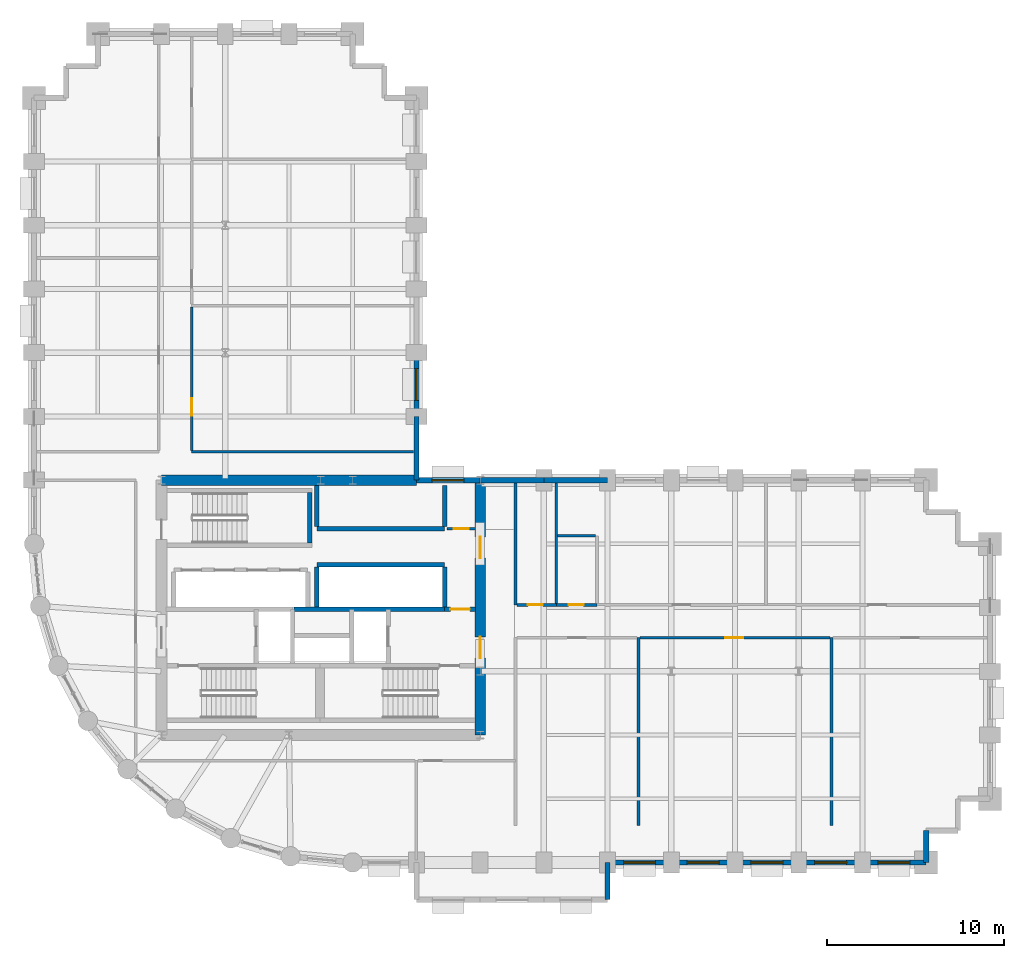
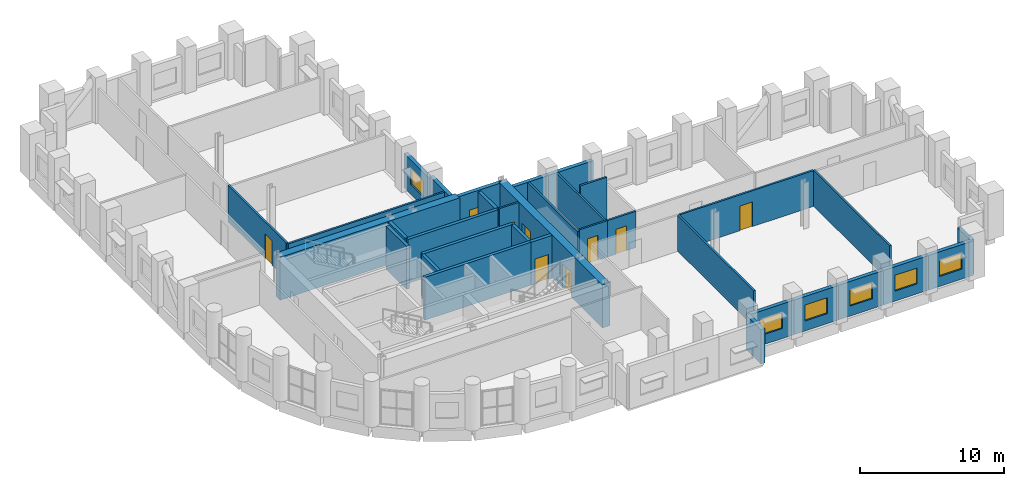
# One storey, part 10 of 14: 34 walls, 8 doors, 7 windows, 15 openings.
"""IFC4 building model written with IfcOpenShell, lengths in metres."""

from ifc_helpers import new_model, si_unit, direction, frame, frame_2d, origin, place, context, subcontext, project, spatial, rectangle, extrude, material, layer, layer_set, type_object, element, fill, save


model = new_model("IFC4")

# Units and contexts
model_context = context("Model", 3, precision=1e-05, world=origin(), true_north=direction((0.0, 1.0)))
body_context = subcontext(model_context, "Body", "Model", "MODEL_VIEW")
ifc_project = project(units=[si_unit("LENGTHUNIT", "METRE"), si_unit("AREAUNIT", "SQUARE_METRE"), si_unit("VOLUMEUNIT", "CUBIC_METRE"), si_unit("PLANEANGLEUNIT", "RADIAN"), si_unit("MASSUNIT", "GRAM", prefix="KILO")], contexts=[model_context])

# Site, building, storey
site_placement = place(None, origin())
site = spatial("IfcSite", under=ifc_project, at=site_placement, CompositionType="ELEMENT")
building_placement = place(site_placement, origin())
building = spatial("IfcBuilding", under=site, at=building_placement, Name="Solnavia Interchange Tower", CompositionType="ELEMENT")
storey_placement = place(building_placement, frame((0.0, 0.0, 63.0)))
storey = spatial("IfcBuildingStorey", under=building, at=storey_placement, Name="L15", CompositionType="ELEMENT", Elevation=63.0)

# Wall
ifc_material_1 = material(Name="Concrete C40/50", Category="concrete")
ifc_layer_1 = layer(ifc_material_1, 0.300048828125)
ifc_layer_set_1 = layer_set([ifc_layer_1], Name="Concrete C40/50")
wall_type_1 = type_object("IfcWallType", Name="Wall-ExtSpandrel-300", PredefinedType="STANDARD", material=ifc_layer_set_1)
wall_1_placement = place(storey_placement, frame((39.60009765625, 3.60009765625, 0.0), z_axis=(0.0, 0.0, 1.0), x_axis=(0.0, -1.0, 0.0)))
element("IfcWall", 1, at=wall_1_placement, inside=storey, type_object=wall_type_1, Name="EXW-L15-06 Exterior precast spandrel wall", PredefinedType="STANDARD", context=body_context, shape_type="SweptSolid", body=[
    extrude(rectangle(XDim=2.10009765625, YDim=0.300048828125, at=frame_2d((1.050048828125, 0.0))), origin(), (0.0, 0.0, 1.0), 2.929931640625),
])

# Wall, opening, window
wall_2_placement = place(storey_placement, frame((43.199951171875, 3.60009765625, 0.0), z_axis=(0.0, 0.0, 1.0), x_axis=(-1.0, 0.0, 0.0)))
wall_2 = element("IfcWall", 2, at=wall_2_placement, inside=storey, type_object=wall_type_1, Name="EXW-L15-07 Exterior precast spandrel wall", PredefinedType="STANDARD", context=body_context, shape_type="SweptSolid", body=[
    extrude(rectangle(XDim=3.599853515625, YDim=0.300048828125, at=frame_2d((1.7998046875, 0.0))), origin(), (0.0, 0.0, 1.0), 2.929931640625),
])
opening_1_placement = place(wall_2_placement, frame((0.89990234375, 0.0, 0.85009765625)))
opening_1 = element("IfcOpeningElement", 3, at=opening_1_placement, cuts=wall_2, Name="Opening WIN-02", PredefinedType="OPENING", context=body_context, shape_type="SweptSolid", body=[
    extrude(rectangle(XDim=1.800048828125, YDim=1.35009765625, at=frame_2d((0.89990234375, 0.675048828125))), frame((0.0, 0.16015625, 0.0), z_axis=(0.0, -1.0, 0.0), x_axis=(1.0, 0.0, 0.0)), (0.0, 0.0, 1.0), 0.320068359375),
])
ifc_material_2 = material(Name="Thermal-Break Aluminium & Low-E Glass", Category="aluminium")
window_type = type_object("IfcWindowType", Name="Window-Ribbon-1800x1350", PartitioningType="SINGLE_PANEL", PredefinedType="WINDOW", material=ifc_material_2)
window_1_placement = place(opening_1_placement, origin())
window_1 = element("IfcWindow", 4, at=window_1_placement, inside=storey, type_object=window_type, Name="WIN-L15-07 Facade ribbon window", OverallHeight=1.35009765625, OverallWidth=1.800048828125, PartitioningType="SINGLE_PANEL", PredefinedType="WINDOW", context=body_context, shape_type="SweptSolid", body=[
    extrude(rectangle(XDim=1.800048828125, YDim=1.35009765625, at=frame_2d((0.89990234375, 0.675048828125))), frame((0.0, 0.030029296875, 0.0), z_axis=(0.0, -1.0, 0.0), x_axis=(1.0, 0.0, 0.0)), (0.0, 0.0, 1.0), 0.06005859375),
])
fill(opening_1, window_1)

wall_3_placement = place(storey_placement, frame((46.800048828125, 3.60009765625, 0.0), z_axis=(0.0, 0.0, 1.0), x_axis=(-1.0, 0.0, 0.0)))
wall_3 = element("IfcWall", 5, at=wall_3_placement, inside=storey, type_object=wall_type_1, Name="EXW-L15-08 Exterior precast spandrel wall", PredefinedType="STANDARD", context=body_context, shape_type="SweptSolid", body=[
    extrude(rectangle(XDim=3.60009765625, YDim=0.300048828125, at=frame_2d((1.800048828125, 0.0))), origin(), (0.0, 0.0, 1.0), 2.929931640625),
])
opening_2_placement = place(wall_3_placement, frame((0.89990234375, 0.0, 0.85009765625)))
opening_2 = element("IfcOpeningElement", 6, at=opening_2_placement, cuts=wall_3, Name="Opening WIN-02", PredefinedType="OPENING", context=body_context, shape_type="SweptSolid", body=[
    extrude(rectangle(XDim=1.800048828125, YDim=1.35009765625, at=frame_2d((0.89990234375, 0.675048828125))), frame((0.0, 0.16015625, 0.0), z_axis=(0.0, -1.0, 0.0), x_axis=(1.0, 0.0, 0.0)), (0.0, 0.0, 1.0), 0.320068359375),
])
window_2_placement = place(opening_2_placement, origin())
window_2 = element("IfcWindow", 7, at=window_2_placement, inside=storey, type_object=window_type, Name="WIN-L15-08 Facade ribbon window", OverallHeight=1.35009765625, OverallWidth=1.800048828125, PartitioningType="SINGLE_PANEL", PredefinedType="WINDOW", context=body_context, shape_type="SweptSolid", body=[
    extrude(rectangle(XDim=1.800048828125, YDim=1.35009765625, at=frame_2d((0.89990234375, 0.675048828125))), frame((0.0, 0.030029296875, 0.0), z_axis=(0.0, -1.0, 0.0), x_axis=(1.0, 0.0, 0.0)), (0.0, 0.0, 1.0), 0.06005859375),
])
fill(opening_2, window_2)

wall_4_placement = place(storey_placement, frame((50.39990234375, 3.60009765625, 0.0), z_axis=(0.0, 0.0, 1.0), x_axis=(-1.0, 0.0, 0.0)))
wall_4 = element("IfcWall", 8, at=wall_4_placement, inside=storey, type_object=wall_type_1, Name="EXW-L15-09 Exterior precast spandrel wall", PredefinedType="STANDARD", context=body_context, shape_type="SweptSolid", body=[
    extrude(rectangle(XDim=3.599853515625, YDim=0.300048828125, at=frame_2d((1.7998046875, 0.0))), origin(), (0.0, 0.0, 1.0), 2.929931640625),
])
opening_3_placement = place(wall_4_placement, frame((0.89990234375, 0.0, 0.85009765625)))
opening_3 = element("IfcOpeningElement", 9, at=opening_3_placement, cuts=wall_4, Name="Opening WIN-02", PredefinedType="OPENING", context=body_context, shape_type="SweptSolid", body=[
    extrude(rectangle(XDim=1.800048828125, YDim=1.35009765625, at=frame_2d((0.89990234375, 0.675048828125))), frame((0.0, 0.16015625, 0.0), z_axis=(0.0, -1.0, 0.0), x_axis=(1.0, 0.0, 0.0)), (0.0, 0.0, 1.0), 0.320068359375),
])
window_3_placement = place(opening_3_placement, origin())
window_3 = element("IfcWindow", 10, at=window_3_placement, inside=storey, type_object=window_type, Name="WIN-L15-09 Facade ribbon window", OverallHeight=1.35009765625, OverallWidth=1.800048828125, PartitioningType="SINGLE_PANEL", PredefinedType="WINDOW", context=body_context, shape_type="SweptSolid", body=[
    extrude(rectangle(XDim=1.800048828125, YDim=1.35009765625, at=frame_2d((0.89990234375, 0.675048828125))), frame((0.0, 0.030029296875, 0.0), z_axis=(0.0, -1.0, 0.0), x_axis=(1.0, 0.0, 0.0)), (0.0, 0.0, 1.0), 0.06005859375),
])
fill(opening_3, window_3)

wall_5_placement = place(storey_placement, frame((54.0, 3.60009765625, 0.0), z_axis=(0.0, 0.0, 1.0), x_axis=(-1.0, 0.0, 0.0)))
wall_5 = element("IfcWall", 11, at=wall_5_placement, inside=storey, type_object=wall_type_1, Name="EXW-L15-10 Exterior precast spandrel wall", PredefinedType="STANDARD", context=body_context, shape_type="SweptSolid", body=[
    extrude(rectangle(XDim=3.60009765625, YDim=0.300048828125, at=frame_2d((1.800048828125, 0.0))), origin(), (0.0, 0.0, 1.0), 2.929931640625),
])
opening_4_placement = place(wall_5_placement, frame((0.89990234375, 0.0, 0.85009765625)))
opening_4 = element("IfcOpeningElement", 12, at=opening_4_placement, cuts=wall_5, Name="Opening WIN-02", PredefinedType="OPENING", context=body_context, shape_type="SweptSolid", body=[
    extrude(rectangle(XDim=1.800048828125, YDim=1.35009765625, at=frame_2d((0.89990234375, 0.675048828125))), frame((0.0, 0.16015625, 0.0), z_axis=(0.0, -1.0, 0.0), x_axis=(1.0, 0.0, 0.0)), (0.0, 0.0, 1.0), 0.320068359375),
])
window_4_placement = place(opening_4_placement, origin())
window_4 = element("IfcWindow", 13, at=window_4_placement, inside=storey, type_object=window_type, Name="WIN-L15-10 Facade ribbon window", OverallHeight=1.35009765625, OverallWidth=1.800048828125, PartitioningType="SINGLE_PANEL", PredefinedType="WINDOW", context=body_context, shape_type="SweptSolid", body=[
    extrude(rectangle(XDim=1.800048828125, YDim=1.35009765625, at=frame_2d((0.89990234375, 0.675048828125))), frame((0.0, 0.030029296875, 0.0), z_axis=(0.0, -1.0, 0.0), x_axis=(1.0, 0.0, 0.0)), (0.0, 0.0, 1.0), 0.06005859375),
])
fill(opening_4, window_4)

wall_6_placement = place(storey_placement, frame((57.60009765625, 3.60009765625, 0.0), z_axis=(0.0, 0.0, 1.0), x_axis=(-1.0, 0.0, 0.0)))
wall_6 = element("IfcWall", 14, at=wall_6_placement, inside=storey, type_object=wall_type_1, Name="EXW-L15-11 Exterior precast spandrel wall", PredefinedType="STANDARD", context=body_context, shape_type="SweptSolid", body=[
    extrude(rectangle(XDim=3.60009765625, YDim=0.300048828125, at=frame_2d((1.800048828125, 0.0))), origin(), (0.0, 0.0, 1.0), 2.929931640625),
])
opening_5_placement = place(wall_6_placement, frame((0.925048828125, 0.0, 0.85009765625)))
opening_5 = element("IfcOpeningElement", 15, at=opening_5_placement, cuts=wall_6, Name="Opening WIN-02", PredefinedType="OPENING", context=body_context, shape_type="SweptSolid", body=[
    extrude(rectangle(XDim=1.800048828125, YDim=1.35009765625, at=frame_2d((0.89990234375, 0.675048828125))), frame((0.0, 0.16015625, 0.0), z_axis=(0.0, -1.0, 0.0), x_axis=(1.0, 0.0, 0.0)), (0.0, 0.0, 1.0), 0.320068359375),
])
window_5_placement = place(opening_5_placement, origin())
window_5 = element("IfcWindow", 16, at=window_5_placement, inside=storey, type_object=window_type, Name="WIN-L15-11 Facade ribbon window", OverallHeight=1.35009765625, OverallWidth=1.800048828125, PartitioningType="SINGLE_PANEL", PredefinedType="WINDOW", context=body_context, shape_type="SweptSolid", body=[
    extrude(rectangle(XDim=1.800048828125, YDim=1.35009765625, at=frame_2d((0.89990234375, 0.675048828125))), frame((0.0, 0.030029296875, 0.0), z_axis=(0.0, -1.0, 0.0), x_axis=(1.0, 0.0, 0.0)), (0.0, 0.0, 1.0), 0.06005859375),
])
fill(opening_5, window_5)

# Walls
wall_7_placement = place(storey_placement, frame((57.60009765625, 5.39990234375, 0.0), z_axis=(0.0, 0.0, 1.0), x_axis=(0.0, -1.0, 0.0)))
element("IfcWall", 17, at=wall_7_placement, inside=storey, type_object=wall_type_1, Name="EXW-L15-12 Exterior precast spandrel wall", PredefinedType="STANDARD", context=body_context, shape_type="SweptSolid", body=[
    extrude(rectangle(XDim=1.7998046875, YDim=0.300048828125, at=frame_2d((0.89990234375, 0.0))), origin(), (0.0, 0.0, 1.0), 2.929931640625),
])
for number, where, z_axis, x_axis, name in (
    (18, (36.0, 25.199951171875, 0.0), (0.0, 0.0, 1.0), (1.0, 0.0, 0.0), "EXW-L15-29 Exterior precast spandrel wall"),
    (19, (32.39990234375, 25.199951171875, 0.0), (0.0, 0.0, 1.0), (1.0, 0.0, 0.0), "EXW-L15-30 Exterior precast spandrel wall"),
):
    element("IfcWall", number, at=place(storey_placement, frame(where, z_axis=z_axis, x_axis=x_axis)), inside=storey, type_object=wall_type_1, Name=name, PredefinedType="STANDARD", context=body_context, shape_type="SweptSolid", body=[
        extrude(rectangle(XDim=3.60009765625, YDim=0.300048828125, at=frame_2d((1.800048828125, 0.0))), origin(), (0.0, 0.0, 1.0), 2.929931640625),
    ])

# Wall, opening, window
wall_8_placement = place(storey_placement, frame((28.800048828125, 25.199951171875, 0.0), z_axis=(0.0, 0.0, 1.0), x_axis=(1.0, 0.0, 0.0)))
wall_8 = element("IfcWall", 20, at=wall_8_placement, inside=storey, type_object=wall_type_1, Name="EXW-L15-31 Exterior precast spandrel wall", PredefinedType="STANDARD", context=body_context, shape_type="SweptSolid", body=[
    extrude(rectangle(XDim=3.599853515625, YDim=0.300048828125, at=frame_2d((1.7998046875, 0.0))), origin(), (0.0, 0.0, 1.0), 3.635009765625),
])
opening_6_placement = place(wall_8_placement, frame((0.8779296875, 0.0, 0.85009765625)))
opening_6 = element("IfcOpeningElement", 21, at=opening_6_placement, cuts=wall_8, Name="Opening WIN-02", PredefinedType="OPENING", context=body_context, shape_type="SweptSolid", body=[
    extrude(rectangle(XDim=1.800048828125, YDim=1.35009765625, at=frame_2d((0.89990234375, 0.675048828125))), frame((0.0, 0.16015625, 0.0), z_axis=(0.0, -1.0, 0.0), x_axis=(1.0, 0.0, 0.0)), (0.0, 0.0, 1.0), 0.320068359375),
])
window_6_placement = place(opening_6_placement, origin())
window_6 = element("IfcWindow", 22, at=window_6_placement, inside=storey, type_object=window_type, Name="WIN-L15-31 Facade ribbon window", OverallHeight=1.35009765625, OverallWidth=1.800048828125, PartitioningType="SINGLE_PANEL", PredefinedType="WINDOW", context=body_context, shape_type="SweptSolid", body=[
    extrude(rectangle(XDim=1.800048828125, YDim=1.35009765625, at=frame_2d((0.89990234375, 0.675048828125))), frame((0.0, 0.030029296875, 0.0), z_axis=(0.0, -1.0, 0.0), x_axis=(1.0, 0.0, 0.0)), (0.0, 0.0, 1.0), 0.06005859375),
])
fill(opening_6, window_6)

# Wall
wall_9_placement = place(storey_placement, frame((28.800048828125, 25.199951171875, 0.0), z_axis=(0.0, 0.0, 1.0), x_axis=(0.0, 1.0, 0.0)))
element("IfcWall", 23, at=wall_9_placement, inside=storey, type_object=wall_type_1, Name="EXW-L15-32 Exterior precast spandrel wall", PredefinedType="STANDARD", context=body_context, shape_type="SweptSolid", body=[
    extrude(rectangle(XDim=3.60009765625, YDim=0.300048828125, at=frame_2d((1.800048828125, 0.0))), origin(), (0.0, 0.0, 1.0), 3.139892578125),
])

# Wall, opening, window
wall_10_placement = place(storey_placement, frame((28.800048828125, 28.800048828125, 0.0), z_axis=(0.0, 0.0, 1.0), x_axis=(0.0, 1.0, 0.0)))
wall_10 = element("IfcWall", 24, at=wall_10_placement, inside=storey, type_object=wall_type_1, Name="EXW-L15-33 Exterior precast spandrel wall", PredefinedType="STANDARD", context=body_context, shape_type="SweptSolid", body=[
    extrude(rectangle(XDim=3.599853515625, YDim=0.300048828125, at=frame_2d((1.7998046875, 0.0))), origin(), (0.0, 0.0, 1.0), 2.929931640625),
])
opening_7_placement = place(wall_10_placement, frame((0.89990234375, 0.0, 0.85009765625)))
opening_7 = element("IfcOpeningElement", 25, at=opening_7_placement, cuts=wall_10, Name="Opening WIN-02", PredefinedType="OPENING", context=body_context, shape_type="SweptSolid", body=[
    extrude(rectangle(XDim=1.800048828125, YDim=1.35009765625, at=frame_2d((0.89990234375, 0.675048828125))), frame((0.0, 0.16015625, 0.0), z_axis=(0.0, -1.0, 0.0), x_axis=(1.0, 0.0, 0.0)), (0.0, 0.0, 1.0), 0.320068359375),
])
window_7_placement = place(opening_7_placement, origin())
window_7 = element("IfcWindow", 26, at=window_7_placement, inside=storey, type_object=window_type, Name="WIN-L15-33 Facade ribbon window", OverallHeight=1.35009765625, OverallWidth=1.800048828125, PartitioningType="SINGLE_PANEL", PredefinedType="WINDOW", context=body_context, shape_type="SweptSolid", body=[
    extrude(rectangle(XDim=1.800048828125, YDim=1.35009765625, at=frame_2d((0.89990234375, 0.675048828125))), frame((0.0, 0.030029296875, 0.0), z_axis=(0.0, -1.0, 0.0), x_axis=(1.0, 0.0, 0.0)), (0.0, 0.0, 1.0), 0.06005859375),
])
fill(opening_7, window_7)

# Wall, opening, door
ifc_material_3 = material(Name="Gypsum Plasterboard & Steel Stud", Category="steel")
ifc_layer_2 = layer(ifc_material_3, 0.14990234375)
ifc_layer_set_2 = layer_set([ifc_layer_2], Name="Gypsum Plasterboard & Steel Stud")
wall_type_2 = type_object("IfcWallType", Name="Wall-Partition-150", PredefinedType="PARTITIONING", material=ifc_layer_set_2)
wall_11_placement = place(storey_placement, frame((30.52001953125, 22.4599609375, 0.0), z_axis=(0.0, 0.0, 1.0), x_axis=(1.0, 0.0, 0.0)))
wall_11 = element("IfcWall", 27, at=wall_11_placement, inside=storey, type_object=wall_type_2, Name="CSW-L15-NE-S Core shaft wall", PredefinedType="PARTITIONING", context=body_context, shape_type="SweptSolid", body=[
    extrude(rectangle(XDim=1.6298828125, YDim=0.14990234375, at=frame_2d((0.81494140625, 0.0))), origin(), (0.0, 0.0, 1.0), 3.635009765625),
])
opening_8_placement = place(wall_11_placement, frame((0.3798828125, 0.0, 0.0)))
opening_8 = element("IfcOpeningElement", 28, at=opening_8_placement, cuts=wall_11, Name="Opening DR-10", PredefinedType="OPENING", context=body_context, shape_type="SweptSolid", body=[
    extrude(rectangle(XDim=0.85009765625, YDim=2.10009765625, at=frame_2d((0.425048828125, 1.050048828125))), frame((0.0, 0.0849609375, 0.0), z_axis=(0.0, -1.0, 0.0), x_axis=(1.0, 0.0, 0.0)), (0.0, 0.0, 1.0), 0.169921875),
])
ifc_material_4 = material(Name="Moisture-Resistant Timber Door", Category="wood")
door_type_1 = type_object("IfcDoorType", Name="Door-Bathroom-850x2100", OperationType="SINGLE_SWING_RIGHT", PredefinedType="DOOR", material=ifc_material_4)
door_1_placement = place(opening_8_placement, origin())
door_1 = element("IfcDoor", 29, at=door_1_placement, inside=storey, type_object=door_type_1, Name="DR-L15-CNE1 Core fire door", OperationType="SINGLE_SWING_RIGHT", OverallHeight=2.10009765625, OverallWidth=0.85009765625, PredefinedType="DOOR", context=body_context, shape_type="SweptSolid", body=[
    extrude(rectangle(XDim=0.85009765625, YDim=2.10009765625, at=frame_2d((0.425048828125, 1.050048828125))), frame((0.0, 0.02490234375, 0.0), z_axis=(0.0, -1.0, 0.0), x_axis=(1.0, 0.0, 0.0)), (0.0, 0.0, 1.0), 0.050048828125),
])
fill(opening_8, door_1)

# Walls
for number, where, z_axis, x_axis, name in (
    (30, (41.35009765625, 5.699951171875, 0.0), (0.0, 0.0, 1.0), (0.0, 1.0, 0.0), "PTW-L15-13 Interior partition wall"),
    (31, (52.25, 5.699951171875, 0.0), (0.0, 0.0, 1.0), (0.0, 1.0, 0.0), "PTW-L15-15 Interior partition wall"),
):
    element("IfcWall", number, at=place(storey_placement, frame(where, z_axis=z_axis, x_axis=x_axis)), inside=storey, type_object=wall_type_2, Name=name, PredefinedType="PARTITIONING", context=body_context, shape_type="SweptSolid", body=[
        extrude(rectangle(XDim=10.60009765625, YDim=0.14990234375, at=frame_2d((5.300048828125, 0.0))), origin(), (0.0, 0.0, 1.0), 3.030029296875),
    ])

# Wall, opening, door
wall_12_placement = place(storey_placement, frame((41.428955078125, 16.300048828125, 0.0), z_axis=(0.0, 0.0, 1.0), x_axis=(1.0, 0.0, 0.0)))
wall_12 = element("IfcWall", 32, at=wall_12_placement, inside=storey, type_object=wall_type_2, Name="PTW-L15-16 Interior partition wall", PredefinedType="PARTITIONING", context=body_context, shape_type="SweptSolid", body=[
    extrude(rectangle(XDim=10.741943359375, YDim=0.14990234375, at=frame_2d((5.37109375, 0.0))), origin(), (0.0, 0.0, 1.0), 3.0400390625),
])
opening_9_placement = place(wall_12_placement, frame((4.8310546875, 0.0, 0.0)))
opening_9 = element("IfcOpeningElement", 33, at=opening_9_placement, cuts=wall_12, Name="Opening DR-07", PredefinedType="OPENING", context=body_context, shape_type="SweptSolid", body=[
    extrude(rectangle(XDim=1.0, YDim=2.10009765625, at=frame_2d((0.5, 1.050048828125))), frame((0.0, 0.0849609375, 0.0), z_axis=(0.0, -1.0, 0.0), x_axis=(1.0, 0.0, 0.0)), (0.0, 0.0, 1.0), 0.169921875),
])
ifc_material_5 = material(Name="Timber & Acoustic Glazed Office Door", Category="wood")
door_type_2 = type_object("IfcDoorType", Name="Door-Office-1000x2100", OperationType="SINGLE_SWING_RIGHT", PredefinedType="DOOR", material=ifc_material_5)
door_2_placement = place(opening_9_placement, origin())
door_2 = element("IfcDoor", 34, at=door_2_placement, inside=storey, type_object=door_type_2, Name="DR-L15-06 Interior room door", OperationType="SINGLE_SWING_RIGHT", OverallHeight=2.10009765625, OverallWidth=1.0, PredefinedType="DOOR", context=body_context, shape_type="SweptSolid", body=[
    extrude(rectangle(XDim=1.0, YDim=2.10009765625, at=frame_2d((0.5, 1.050048828125))), frame((0.0, 0.02490234375, 0.0), z_axis=(0.0, -1.0, 0.0), x_axis=(1.0, 0.0, 0.0)), (0.0, 0.0, 1.0), 0.050048828125),
])
fill(opening_9, door_2)

# Wall
wall_13_placement = place(storey_placement, frame((16.10009765625, 26.800048828125, 0.0), z_axis=(0.0, 0.0, 1.0), x_axis=(1.0, 0.0, 0.0)))
element("IfcWall", 35, at=wall_13_placement, inside=storey, type_object=wall_type_2, Name="PTW-L15-25 Interior partition wall", PredefinedType="PARTITIONING", context=body_context, shape_type="SweptSolid", body=[
    extrude(rectangle(XDim=12.5458984375, YDim=0.14990234375, at=frame_2d((6.27294921875, 0.0))), origin(), (0.0, 0.0, 1.0), 3.080078125),
])

# Wall, opening, door
wall_14_placement = place(storey_placement, frame((16.10009765625, 26.87890625, 0.0), z_axis=(0.0, 0.0, 1.0), x_axis=(0.0, 1.0, 0.0)))
wall_14 = element("IfcWall", 36, at=wall_14_placement, inside=storey, type_object=wall_type_2, Name="PTW-L15-27 Interior partition wall", PredefinedType="PARTITIONING", context=body_context, shape_type="SweptSolid", body=[
    extrude(rectangle(XDim=8.10205078125, YDim=0.14990234375, at=frame_2d((4.051025390625, 0.0))), origin(), (0.0, 0.0, 1.0), 3.080078125),
])
opening_10_placement = place(wall_14_placement, frame((1.9560546875, 0.0, 0.0)))
opening_10 = element("IfcOpeningElement", 37, at=opening_10_placement, cuts=wall_14, Name="Opening DR-07", PredefinedType="OPENING", context=body_context, shape_type="SweptSolid", body=[
    extrude(rectangle(XDim=1.0, YDim=2.10009765625, at=frame_2d((0.5, 1.050048828125))), frame((0.0, 0.0849609375, 0.0), z_axis=(0.0, -1.0, 0.0), x_axis=(1.0, 0.0, 0.0)), (0.0, 0.0, 1.0), 0.169921875),
])
door_3_placement = place(opening_10_placement, origin())
door_3 = element("IfcDoor", 38, at=door_3_placement, inside=storey, type_object=door_type_2, Name="DR-L15-12 Interior room door", OperationType="SINGLE_SWING_LEFT", OverallHeight=2.10009765625, OverallWidth=1.0, PredefinedType="DOOR", context=body_context, shape_type="SweptSolid", body=[
    extrude(rectangle(XDim=1.0, YDim=2.10009765625, at=frame_2d((0.5, 1.050048828125))), frame((0.0, 0.02490234375, 0.0), z_axis=(0.0, -1.0, 0.0), x_axis=(1.0, 0.0, 0.0)), (0.0, 0.0, 1.0), 0.050048828125),
])
fill(opening_10, door_3)

# Walls
ifc_layer_3 = layer(ifc_material_1, 0.25)
ifc_layer_set_3 = layer_set([ifc_layer_3], Name="Concrete C40/50")
wall_type_3 = type_object("IfcWallType", Name="Wall-ShaftCore-250", PredefinedType="SHEAR", material=ifc_layer_set_3)
wall_15_placement = place(storey_placement, frame((22.77490234375, 21.64990234375, 0.0), z_axis=(0.0, 0.0, 1.0), x_axis=(0.0, 1.0, 0.0)))
element("IfcWall", 39, at=wall_15_placement, inside=storey, type_object=wall_type_3, Name="SHW-L15-ST3E Core shear wall", PredefinedType="SHEAR", context=body_context, shape_type="SweptSolid", body=[
    extrude(rectangle(XDim=2.840087890625, YDim=0.25, at=frame_2d((1.419921875, 0.0))), origin(), (0.0, 0.0, 1.0), 3.64990234375),
])
ifc_layer_4 = layer(ifc_material_1, 0.25)
ifc_layer_set_4 = layer_set([ifc_layer_4], Name="Concrete C40/50")
wall_type_4 = type_object("IfcWallType", Name="Wall-ShaftPart-250", PredefinedType="PARTITIONING", material=ifc_layer_set_4)
wall_16_placement = place(storey_placement, frame((21.8798828125, 17.89990234375, 0.0), z_axis=(0.0, 0.0, 1.0), x_axis=(1.0, 0.0, 0.0)))
element("IfcWall", 40, at=wall_16_placement, inside=storey, type_object=wall_type_4, Name="SHW-L15-FFLE-N1 Core shaft wall", PredefinedType="PARTITIONING", context=body_context, shape_type="SweptSolid", body=[
    extrude(rectangle(XDim=8.52001953125, YDim=0.25, at=frame_2d((4.260009765625, 0.0))), origin(), (0.0, 0.0, 1.0), 3.635009765625),
])

# Wall, opening, door
wall_17_placement = place(storey_placement, frame((30.39990234375, 17.89990234375, 0.0), z_axis=(0.0, 0.0, 1.0), x_axis=(1.0, 0.0, 0.0)))
wall_17 = element("IfcWall", 41, at=wall_17_placement, inside=storey, type_object=wall_type_4, Name="SHW-L15-FFLE-N2 Core shaft wall", PredefinedType="PARTITIONING", context=body_context, shape_type="SweptSolid", body=[
    extrude(rectangle(XDim=1.75, YDim=0.25, at=frame_2d((0.875, 0.0))), origin(), (0.0, 0.0, 1.0), 3.635009765625),
])
opening_11_placement = place(wall_17_placement, frame((0.320068359375, 0.0, 0.0)))
opening_11 = element("IfcOpeningElement", 42, at=opening_11_placement, cuts=wall_17, Name="Opening DR-01", PredefinedType="OPENING", context=body_context, shape_type="SweptSolid", body=[
    extrude(rectangle(XDim=1.10009765625, YDim=2.10009765625, at=frame_2d((0.550048828125, 1.050048828125))), frame((0.0, 0.135009765625, 0.0), z_axis=(0.0, -1.0, 0.0), x_axis=(1.0, 0.0, 0.0)), (0.0, 0.0, 1.0), 0.27001953125),
])
ifc_material_6 = material(Name="Steel Fire-Rated Leaf & Frame", Category="steel")
door_type_3 = type_object("IfcDoorType", Name="Door-StairFire-1100x2100", OperationType="SINGLE_SWING_LEFT", PredefinedType="DOOR", material=ifc_material_6)
door_4_placement = place(opening_11_placement, origin())
door_4 = element("IfcDoor", 43, at=door_4_placement, inside=storey, type_object=door_type_3, Name="DR-L15-LLC Core fire door", OperationType="SINGLE_SWING_LEFT", OverallHeight=2.10009765625, OverallWidth=1.10009765625, PredefinedType="DOOR", context=body_context, shape_type="SweptSolid", body=[
    extrude(rectangle(XDim=1.10009765625, YDim=2.10009765625, at=frame_2d((0.550048828125, 1.050048828125))), frame((0.0, 0.02490234375, 0.0), z_axis=(0.0, -1.0, 0.0), x_axis=(1.0, 0.0, 0.0)), (0.0, 0.0, 1.0), 0.050048828125),
])
fill(opening_11, door_4)

# Walls
wall_18_placement = place(storey_placement, frame((23.179931640625, 20.419921875, 0.0), z_axis=(0.0, 0.0, 1.0), x_axis=(1.0, 0.0, 0.0)))
element("IfcWall", 44, at=wall_18_placement, inside=storey, type_object=wall_type_4, Name="SHW-L15-B2N Core shaft wall", PredefinedType="PARTITIONING", context=body_context, shape_type="SweptSolid", body=[
    extrude(rectangle(XDim=7.219970703125, YDim=0.25, at=frame_2d((3.60986328125, 0.0))), origin(), (0.0, 0.0, 1.0), 3.635009765625),
])
for number, where, z_axis, x_axis, name in (
    (45, (23.179931640625, 18.02490234375, 0.0), (0.0, 0.0, 1.0), (0.0, 1.0, 0.0), "SHW-L15-B2W Core shaft wall"),
    (46, (30.39990234375, 18.02490234375, 0.0), (0.0, 0.0, 1.0), (0.0, 1.0, 0.0), "SHW-L15-B2E Core shaft wall"),
):
    element("IfcWall", number, at=place(storey_placement, frame(where, z_axis=z_axis, x_axis=x_axis)), inside=storey, type_object=wall_type_4, Name=name, PredefinedType="PARTITIONING", context=body_context, shape_type="SweptSolid", body=[
        extrude(rectangle(XDim=2.27001953125, YDim=0.25, at=frame_2d((1.135009765625, 0.0))), origin(), (0.0, 0.0, 1.0), 3.635009765625),
    ])
wall_19_placement = place(storey_placement, frame((23.179931640625, 22.4599609375, 0.0), z_axis=(0.0, 0.0, 1.0), x_axis=(1.0, 0.0, 0.0)))
element("IfcWall", 47, at=wall_19_placement, inside=storey, type_object=wall_type_4, Name="SHW-L15-B3S Core shaft wall", PredefinedType="PARTITIONING", context=body_context, shape_type="SweptSolid", body=[
    extrude(rectangle(XDim=7.219970703125, YDim=0.25, at=frame_2d((3.60986328125, 0.0))), origin(), (0.0, 0.0, 1.0), 3.635009765625),
])
for number, where, z_axis, x_axis, name in (
    (48, (23.179931640625, 22.5849609375, 0.0), (0.0, 0.0, 1.0), (0.0, 1.0, 0.0), "SHW-L15-B3W Core shaft wall"),
    (49, (30.39990234375, 22.5849609375, 0.0), (0.0, 0.0, 1.0), (0.0, 1.0, 0.0), "SHW-L15-B3E Core shaft wall"),
):
    element("IfcWall", number, at=place(storey_placement, frame(where, z_axis=z_axis, x_axis=x_axis)), inside=storey, type_object=wall_type_4, Name=name, PredefinedType="PARTITIONING", context=body_context, shape_type="SweptSolid", body=[
        extrude(rectangle(XDim=2.31494140625, YDim=0.25, at=frame_2d((1.157470703125, 0.0))), origin(), (0.0, 0.0, 1.0), 3.635009765625),
    ])
ifc_material_7 = material(Name="Concrete C60/75", Category="concrete")
ifc_layer_5 = layer(ifc_material_7, 0.60009765625)
ifc_layer_set_5 = layer_set([ifc_layer_5], Name="Concrete C60/75")
wall_type_5 = type_object("IfcWallType", Name="Wall-ShearCore-600", PredefinedType="SHEAR", material=ifc_layer_set_5)
wall_20_placement = place(storey_placement, frame((14.39990234375, 25.199951171875, 0.0), z_axis=(0.0, 0.0, 1.0), x_axis=(1.0, 0.0, 0.0)))
element("IfcWall", 50, at=wall_20_placement, inside=storey, type_object=wall_type_5, Name="CRW-L15-N Core shear wall", PredefinedType="SHEAR", context=body_context, shape_type="SweptSolid", body=[
    extrude(rectangle(XDim=14.400146484375, YDim=0.60009765625, at=frame_2d((7.2001953125, 0.0))), origin(), (0.0, 0.0, 1.0), 3.64990234375),
])

# Wall, openings, doors
wall_21_placement = place(storey_placement, frame((32.39990234375, 10.800048828125, 0.0), z_axis=(0.0, 0.0, 1.0), x_axis=(0.0, 1.0, 0.0)))
wall_21 = element("IfcWall", 51, at=wall_21_placement, inside=storey, type_object=wall_type_5, Name="CRW-L15-E Core shear wall", PredefinedType="SHEAR", context=body_context, shape_type="SweptSolid", body=[
    extrude(rectangle(XDim=14.39990234375, YDim=0.60009765625, at=frame_2d((7.199951171875, 0.0))), origin(), (0.0, 0.0, 1.0), 3.64990234375),
])
opening_12_placement = place(wall_21_placement, frame((4.35009765625, 0.0, 0.0)))
opening_12 = element("IfcOpeningElement", 52, at=opening_12_placement, cuts=wall_21, Name="Opening DR-02", PredefinedType="OPENING", context=body_context, shape_type="SweptSolid", body=[
    extrude(rectangle(XDim=1.199951171875, YDim=2.10009765625, at=frame_2d((0.60009765625, 1.050048828125))), frame((0.0, 0.31005859375, 0.0), z_axis=(0.0, -1.0, 0.0), x_axis=(1.0, 0.0, 0.0)), (0.0, 0.0, 1.0), 0.6201171875),
])
opening_13_placement = place(wall_21_placement, frame((10.0, 0.0, 0.0)))
opening_13 = element("IfcOpeningElement", 53, at=opening_13_placement, cuts=wall_21, Name="Opening DR-02", PredefinedType="OPENING", context=body_context, shape_type="SweptSolid", body=[
    extrude(rectangle(XDim=1.199951171875, YDim=2.10009765625, at=frame_2d((0.60009765625, 1.050048828125))), frame((0.0, 0.31005859375, 0.0), z_axis=(0.0, -1.0, 0.0), x_axis=(1.0, 0.0, 0.0)), (0.0, 0.0, 1.0), 0.6201171875),
])
ifc_material_8 = material(Name="Steel Fire-Rated Vision-Panel Door", Category="steel")
door_type_4 = type_object("IfcDoorType", Name="Door-LobbyFire-1200x2100", OperationType="SINGLE_SWING_RIGHT", PredefinedType="DOOR", material=ifc_material_8)
door_5_placement = place(opening_12_placement, origin())
door_5 = element("IfcDoor", 54, at=door_5_placement, inside=storey, type_object=door_type_4, Name="DR-L15-FFL2E Core fire door", OperationType="SINGLE_SWING_LEFT", OverallHeight=2.10009765625, OverallWidth=1.199951171875, PredefinedType="DOOR", context=body_context, shape_type="SweptSolid", body=[
    extrude(rectangle(XDim=1.199951171875, YDim=2.10009765625, at=frame_2d((0.60009765625, 1.050048828125))), frame((0.0, 0.02490234375, 0.0), z_axis=(0.0, -1.0, 0.0), x_axis=(1.0, 0.0, 0.0)), (0.0, 0.0, 1.0), 0.050048828125),
])
fill(opening_12, door_5)
door_6_placement = place(opening_13_placement, origin())
door_6 = element("IfcDoor", 55, at=door_6_placement, inside=storey, type_object=door_type_4, Name="DR-L15-LLE Core fire door", OperationType="SINGLE_SWING_RIGHT", OverallHeight=2.10009765625, OverallWidth=1.199951171875, PredefinedType="DOOR", context=body_context, shape_type="SweptSolid", body=[
    extrude(rectangle(XDim=1.199951171875, YDim=2.10009765625, at=frame_2d((0.60009765625, 1.050048828125))), frame((0.0, 0.02490234375, 0.0), z_axis=(0.0, -1.0, 0.0), x_axis=(1.0, 0.0, 0.0)), (0.0, 0.0, 1.0), 0.050048828125),
])
fill(opening_13, door_6)

# Wall
ifc_material_9 = material(Name="Moisture-Resistant Gypsum & Steel Stud", Category="steel")
ifc_layer_6 = layer(ifc_material_9, 0.14990234375)
ifc_layer_set_6 = layer_set([ifc_layer_6], Name="Moisture-Resistant Gypsum & Steel Stud")
wall_type_6 = type_object("IfcWallType", Name="Wall-WetRoom-150", PredefinedType="PARTITIONING", material=ifc_layer_set_6)
wall_22_placement = place(storey_placement, frame((34.39990234375, 18.14990234375, 0.0), z_axis=(0.0, 0.0, 1.0), x_axis=(0.0, 1.0, 0.0)))
element("IfcWall", 56, at=wall_22_placement, inside=storey, type_object=wall_type_6, Name="PTW-L15-01 Interior partition wall", PredefinedType="PARTITIONING", context=body_context, shape_type="SweptSolid", body=[
    extrude(rectangle(XDim=6.89599609375, YDim=0.14990234375, at=frame_2d((3.447998046875, 0.0))), origin(), (0.0, 0.0, 1.0), 2.929931640625),
])

# Wall, opening, door
wall_23_placement = place(storey_placement, frame((34.47900390625, 18.14990234375, 0.0), z_axis=(0.0, 0.0, 1.0), x_axis=(1.0, 0.0, 0.0)))
wall_23 = element("IfcWall", 57, at=wall_23_placement, inside=storey, type_object=wall_type_6, Name="PTW-L15-02 Interior partition wall", PredefinedType="PARTITIONING", context=body_context, shape_type="SweptSolid", body=[
    extrude(rectangle(XDim=2.220947265625, YDim=0.14990234375, at=frame_2d((1.1103515625, 0.0))), origin(), (0.0, 0.0, 1.0), 3.080078125),
])
opening_14_placement = place(wall_23_placement, frame((0.617919921875, 0.0, 0.0)))
opening_14 = element("IfcOpeningElement", 58, at=opening_14_placement, cuts=wall_23, Name="Opening DR-10", PredefinedType="OPENING", context=body_context, shape_type="SweptSolid", body=[
    extrude(rectangle(XDim=0.85009765625, YDim=2.10009765625, at=frame_2d((0.425048828125, 1.050048828125))), frame((0.0, 0.0849609375, 0.0), z_axis=(0.0, -1.0, 0.0), x_axis=(1.0, 0.0, 0.0)), (0.0, 0.0, 1.0), 0.169921875),
])
door_7_placement = place(opening_14_placement, origin())
door_7 = element("IfcDoor", 59, at=door_7_placement, inside=storey, type_object=door_type_1, Name="DR-L15-01 Interior room door", OperationType="SINGLE_SWING_LEFT", OverallHeight=2.10009765625, OverallWidth=0.85009765625, PredefinedType="DOOR", context=body_context, shape_type="SweptSolid", body=[
    extrude(rectangle(XDim=0.85009765625, YDim=2.10009765625, at=frame_2d((0.425048828125, 1.050048828125))), frame((0.0, 0.02490234375, 0.0), z_axis=(0.0, -1.0, 0.0), x_axis=(1.0, 0.0, 0.0)), (0.0, 0.0, 1.0), 0.050048828125),
])
fill(opening_14, door_7)

# Wall
wall_24_placement = place(storey_placement, frame((36.699951171875, 18.22900390625, 0.0), z_axis=(0.0, 0.0, 1.0), x_axis=(0.0, 1.0, 0.0)))
element("IfcWall", 60, at=wall_24_placement, inside=storey, type_object=wall_type_6, Name="PTW-L15-03 Interior partition wall", PredefinedType="PARTITIONING", context=body_context, shape_type="SweptSolid", body=[
    extrude(rectangle(XDim=6.81689453125, YDim=0.14990234375, at=frame_2d((3.408447265625, 0.0))), origin(), (0.0, 0.0, 1.0), 2.929931640625),
])

# Wall, opening, door
wall_25_placement = place(storey_placement, frame((36.699951171875, 18.14990234375, 0.0), z_axis=(0.0, 0.0, 1.0), x_axis=(1.0, 0.0, 0.0)))
wall_25 = element("IfcWall", 61, at=wall_25_placement, inside=storey, type_object=wall_type_6, Name="PTW-L15-04 Interior partition wall", PredefinedType="PARTITIONING", context=body_context, shape_type="SweptSolid", body=[
    extrude(rectangle(XDim=2.300048828125, YDim=0.14990234375, at=frame_2d((1.14990234375, 0.0))), origin(), (0.0, 0.0, 1.0), 3.080078125),
])
opening_15_placement = place(wall_25_placement, frame((0.697021484375, 0.0, 0.0)))
opening_15 = element("IfcOpeningElement", 62, at=opening_15_placement, cuts=wall_25, Name="Opening DR-10", PredefinedType="OPENING", context=body_context, shape_type="SweptSolid", body=[
    extrude(rectangle(XDim=0.85009765625, YDim=2.10009765625, at=frame_2d((0.425048828125, 1.050048828125))), frame((0.0, 0.0849609375, 0.0), z_axis=(0.0, -1.0, 0.0), x_axis=(1.0, 0.0, 0.0)), (0.0, 0.0, 1.0), 0.169921875),
])
door_8_placement = place(opening_15_placement, origin())
door_8 = element("IfcDoor", 63, at=door_8_placement, inside=storey, type_object=door_type_1, Name="DR-L15-02 Interior room door", OperationType="SINGLE_SWING_RIGHT", OverallHeight=2.10009765625, OverallWidth=0.85009765625, PredefinedType="DOOR", context=body_context, shape_type="SweptSolid", body=[
    extrude(rectangle(XDim=0.85009765625, YDim=2.10009765625, at=frame_2d((0.425048828125, 1.050048828125))), frame((0.0, 0.02490234375, 0.0), z_axis=(0.0, -1.0, 0.0), x_axis=(1.0, 0.0, 0.0)), (0.0, 0.0, 1.0), 0.050048828125),
])
fill(opening_15, door_8)

# Wall
wall_26_placement = place(storey_placement, frame((36.779052734375, 22.050048828125, 0.0), z_axis=(0.0, 0.0, 1.0), x_axis=(1.0, 0.0, 0.0)))
element("IfcWall", 64, at=wall_26_placement, inside=storey, type_object=wall_type_6, Name="PTW-L15-06 Interior partition wall", PredefinedType="PARTITIONING", context=body_context, shape_type="SweptSolid", body=[
    extrude(rectangle(XDim=2.141845703125, YDim=0.14990234375, at=frame_2d((1.07080078125, 0.0))), origin(), (0.0, 0.0, 1.0), 3.635009765625),
])

save(model, "model.ifc")
